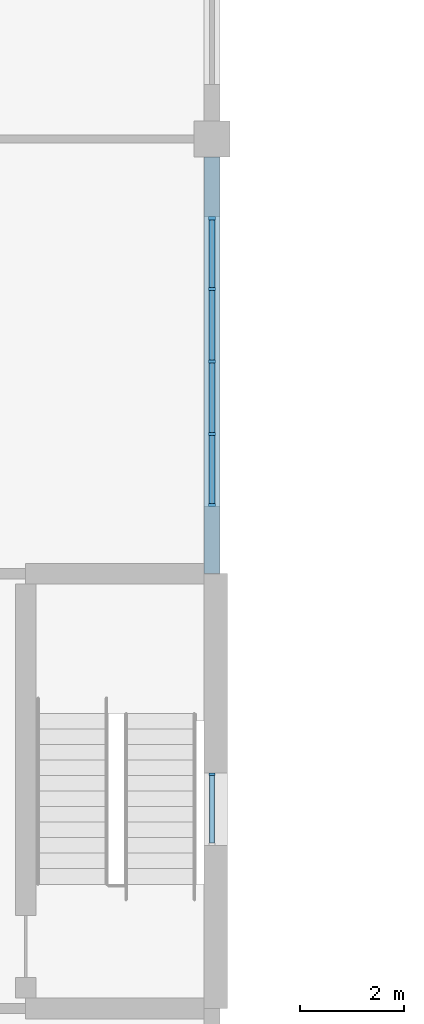
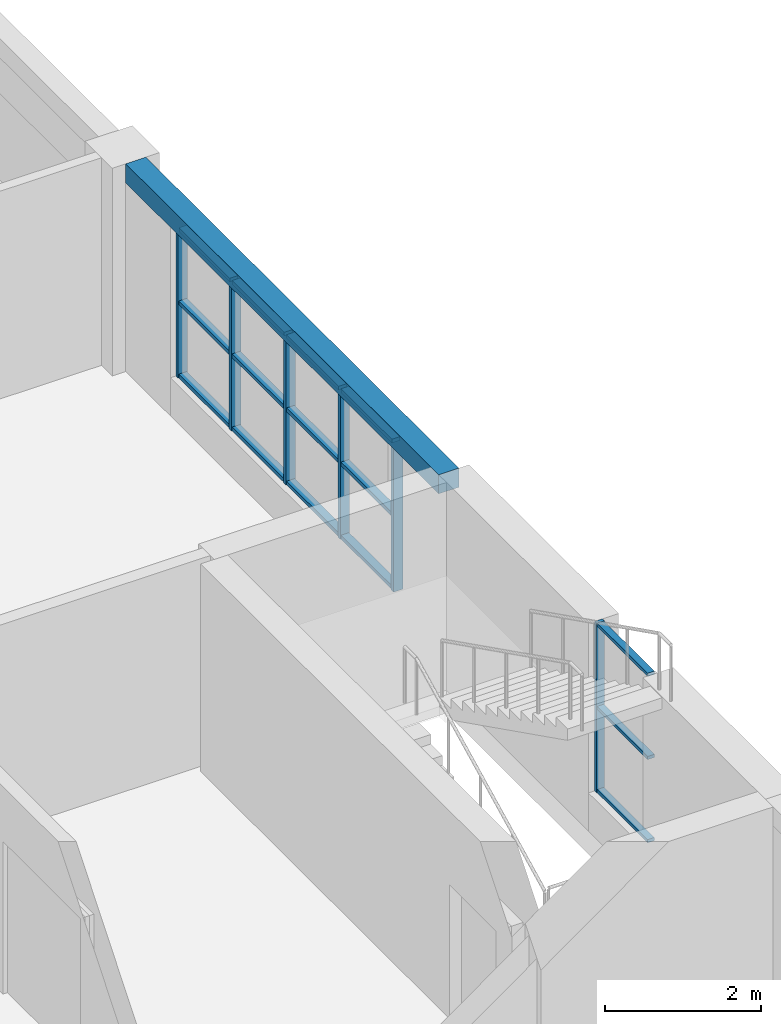
# One storey, part 16 of 61: 21 members, 1 beam, 2 elements without a shape of their own.
"""IFC4 building model written with IfcOpenShell, lengths in metres."""

from ifc_helpers import new_model, si_unit, direction, frame, origin, origin_2d, place, context, subcontext, project, spatial, rectangle, extrude, material, material_profile, profile_set, type_object, element, aggregate, save


model = new_model("IFC4")

# Units and contexts
model_context = context("Model", 3, precision=1e-05, world=origin(), true_north=direction((0.0, 1.0)))
body_context = subcontext(model_context, "Body", "Model", "MODEL_VIEW")
ifc_project = project(units=[si_unit("LENGTHUNIT", "METRE"), si_unit("AREAUNIT", "SQUARE_METRE"), si_unit("VOLUMEUNIT", "CUBIC_METRE"), si_unit("PLANEANGLEUNIT", "RADIAN"), si_unit("MASSUNIT", "GRAM", prefix="KILO")], contexts=[model_context])

# Site, building, storey
site_placement = place(None, origin())
site = spatial("IfcSite", under=ifc_project, at=site_placement, CompositionType="ELEMENT")
building_placement = place(site_placement, origin())
building = spatial("IfcBuilding", under=site, at=building_placement, Name="Yavir Park General Hospital", CompositionType="ELEMENT")
storey_placement = place(building_placement, frame((0.0, 0.0, 15.300048828125)))
storey = spatial("IfcBuildingStorey", under=building, at=storey_placement, Name="L03", CompositionType="ELEMENT", Elevation=15.300048828125)

# Curtain wall, members
ifc_material_1 = material(Name="Aluminium curtain wall frame with insulated glazing", Category="aluminium")
curtain_wall_type_1 = type_object("IfcCurtainWallType", Name="Day room pocket glazing, ward floors, 2360 high, 1400 module", PredefinedType="NOTDEFINED", material=ifc_material_1)
curtain_wall_1_placement = place(storey_placement, origin())
curtain_wall_1 = element("IfcCurtainWall", 1, at=curtain_wall_1_placement, inside=storey, type_object=curtain_wall_type_1, Name="CW6 L03-026", PredefinedType="NOTDEFINED")
ifc_material_2 = material(Name="Aluminium", Category="aluminium")
ifc_material_profile_1 = material_profile(ifc_material_2, rectangle(XDim=0.139892578125, YDim=0.06005859375, at=origin_2d()), Name="AL 60x140")
ifc_profile_set_1 = profile_set([ifc_material_profile_1], Name="Aluminium")
member_type_1 = type_object("IfcMemberType", Name="Day room pocket glazing, ward floors, 2360 high mullion 60 x 140", PredefinedType="MULLION", material=ifc_profile_set_1)
member_1_placement = place(storey_placement, frame((25.199951171875, 85.330078125, 0.599853515625), z_axis=(0.0, 0.0, 1.0), x_axis=(-1.0, 0.0, 0.0)))
member_1 = element("IfcMember", 2, at=member_1_placement, type_object=member_type_1, Name="CW6 mullion 1", PredefinedType="MULLION", context=body_context, shape_type="SweptSolid", body=[
    extrude(rectangle(XDim=0.139892578125, YDim=0.06005859375, at=origin_2d()), origin(), (0.0, 0.0, 1.0), 2.360107421875),
])
member_2_placement = place(storey_placement, frame((25.199951171875, 86.699951171875, 0.599853515625), z_axis=(0.0, 0.0, 1.0), x_axis=(-1.0, 0.0, 0.0)))
member_2 = element("IfcMember", 3, at=member_2_placement, type_object=member_type_1, Name="CW6 mullion 2", PredefinedType="MULLION", context=body_context, shape_type="SweptSolid", body=[
    extrude(rectangle(XDim=0.139892578125, YDim=0.06005859375, at=origin_2d()), origin(), (0.0, 0.0, 1.0), 2.360107421875),
])
member_3_placement = place(storey_placement, frame((25.199951171875, 88.10009765625, 0.599853515625), z_axis=(0.0, 0.0, 1.0), x_axis=(-1.0, 0.0, 0.0)))
member_3 = element("IfcMember", 4, at=member_3_placement, type_object=member_type_1, Name="CW6 mullion 3", PredefinedType="MULLION", context=body_context, shape_type="SweptSolid", body=[
    extrude(rectangle(XDim=0.139892578125, YDim=0.06005859375, at=origin_2d()), origin(), (0.0, 0.0, 1.0), 2.360107421875),
])
member_4_placement = place(storey_placement, frame((25.199951171875, 89.5, 0.599853515625), z_axis=(0.0, 0.0, 1.0), x_axis=(-1.0, 0.0, 0.0)))
member_4 = element("IfcMember", 5, at=member_4_placement, type_object=member_type_1, Name="CW6 mullion 4", PredefinedType="MULLION", context=body_context, shape_type="SweptSolid", body=[
    extrude(rectangle(XDim=0.139892578125, YDim=0.06005859375, at=origin_2d()), origin(), (0.0, 0.0, 1.0), 2.360107421875),
])
member_5_placement = place(storey_placement, frame((25.199951171875, 90.8701171875, 0.599853515625), z_axis=(0.0, 0.0, 1.0), x_axis=(-1.0, 0.0, 0.0)))
member_5 = element("IfcMember", 6, at=member_5_placement, type_object=member_type_1, Name="CW6 mullion 5", PredefinedType="MULLION", context=body_context, shape_type="SweptSolid", body=[
    extrude(rectangle(XDim=0.139892578125, YDim=0.06005859375, at=origin_2d()), origin(), (0.0, 0.0, 1.0), 2.360107421875),
])
ifc_material_3 = material(Name="Aluminium", Category="aluminium")
ifc_material_profile_2 = material_profile(ifc_material_3, rectangle(XDim=0.1201171875, YDim=0.06005859375, at=origin_2d()), Name="AL 120x60")
ifc_profile_set_2 = profile_set([ifc_material_profile_2], Name="Aluminium")
member_type_2 = type_object("IfcMemberType", Name="Day room pocket glazing, ward floors, 2360 high transom 60 x 120", PredefinedType="MULLION", material=ifc_profile_set_2)
member_6_placement = place(storey_placement, frame((25.199951171875, 85.360107421875, 0.6298828125), z_axis=(0.0, 1.0, 0.0), x_axis=(-1.0, 0.0, 0.0)))
member_6 = element("IfcMember", 7, at=member_6_placement, type_object=member_type_2, Name="CW6 transom 1.1", PredefinedType="MULLION", context=body_context, shape_type="SweptSolid", body=[
    extrude(rectangle(XDim=0.1201171875, YDim=0.06005859375, at=origin_2d()), origin(), (0.0, 0.0, 1.0), 1.309814453125),
])
member_7_placement = place(storey_placement, frame((25.199951171875, 85.360107421875, 1.780029296875), z_axis=(0.0, 1.0, 0.0), x_axis=(-1.0, 0.0, 0.0)))
member_7 = element("IfcMember", 8, at=member_7_placement, type_object=member_type_2, Name="CW6 transom 1.2", PredefinedType="MULLION", context=body_context, shape_type="SweptSolid", body=[
    extrude(rectangle(XDim=0.1201171875, YDim=0.06005859375, at=origin_2d()), origin(), (0.0, 0.0, 1.0), 1.309814453125),
])
member_8_placement = place(storey_placement, frame((25.199951171875, 85.360107421875, 2.929931640625), z_axis=(0.0, 1.0, 0.0), x_axis=(-1.0, 0.0, 0.0)))
member_8 = element("IfcMember", 9, at=member_8_placement, type_object=member_type_2, Name="CW6 transom 1.3", PredefinedType="MULLION", context=body_context, shape_type="SweptSolid", body=[
    extrude(rectangle(XDim=0.1201171875, YDim=0.06005859375, at=origin_2d()), origin(), (0.0, 0.0, 1.0), 1.309814453125),
])
member_9_placement = place(storey_placement, frame((25.199951171875, 86.72998046875, 0.6298828125), z_axis=(0.0, 1.0, 0.0), x_axis=(-1.0, 0.0, 0.0)))
member_9 = element("IfcMember", 10, at=member_9_placement, type_object=member_type_2, Name="CW6 transom 2.1", PredefinedType="MULLION", context=body_context, shape_type="SweptSolid", body=[
    extrude(rectangle(XDim=0.1201171875, YDim=0.06005859375, at=origin_2d()), origin(), (0.0, 0.0, 1.0), 1.340087890625),
])
member_10_placement = place(storey_placement, frame((25.199951171875, 86.72998046875, 1.780029296875), z_axis=(0.0, 1.0, 0.0), x_axis=(-1.0, 0.0, 0.0)))
member_10 = element("IfcMember", 11, at=member_10_placement, type_object=member_type_2, Name="CW6 transom 2.2", PredefinedType="MULLION", context=body_context, shape_type="SweptSolid", body=[
    extrude(rectangle(XDim=0.1201171875, YDim=0.06005859375, at=origin_2d()), origin(), (0.0, 0.0, 1.0), 1.340087890625),
])
member_11_placement = place(storey_placement, frame((25.199951171875, 86.72998046875, 2.929931640625), z_axis=(0.0, 1.0, 0.0), x_axis=(-1.0, 0.0, 0.0)))
member_11 = element("IfcMember", 12, at=member_11_placement, type_object=member_type_2, Name="CW6 transom 2.3", PredefinedType="MULLION", context=body_context, shape_type="SweptSolid", body=[
    extrude(rectangle(XDim=0.1201171875, YDim=0.06005859375, at=origin_2d()), origin(), (0.0, 0.0, 1.0), 1.340087890625),
])
member_12_placement = place(storey_placement, frame((25.199951171875, 88.1298828125, 0.6298828125), z_axis=(0.0, 1.0, 0.0), x_axis=(-1.0, 0.0, 0.0)))
member_12 = element("IfcMember", 13, at=member_12_placement, type_object=member_type_2, Name="CW6 transom 3.1", PredefinedType="MULLION", context=body_context, shape_type="SweptSolid", body=[
    extrude(rectangle(XDim=0.1201171875, YDim=0.06005859375, at=origin_2d()), origin(), (0.0, 0.0, 1.0), 1.340087890625),
])
member_13_placement = place(storey_placement, frame((25.199951171875, 88.1298828125, 1.780029296875), z_axis=(0.0, 1.0, 0.0), x_axis=(-1.0, 0.0, 0.0)))
member_13 = element("IfcMember", 14, at=member_13_placement, type_object=member_type_2, Name="CW6 transom 3.2", PredefinedType="MULLION", context=body_context, shape_type="SweptSolid", body=[
    extrude(rectangle(XDim=0.1201171875, YDim=0.06005859375, at=origin_2d()), origin(), (0.0, 0.0, 1.0), 1.340087890625),
])
member_14_placement = place(storey_placement, frame((25.199951171875, 88.1298828125, 2.929931640625), z_axis=(0.0, 1.0, 0.0), x_axis=(-1.0, 0.0, 0.0)))
member_14 = element("IfcMember", 15, at=member_14_placement, type_object=member_type_2, Name="CW6 transom 3.3", PredefinedType="MULLION", context=body_context, shape_type="SweptSolid", body=[
    extrude(rectangle(XDim=0.1201171875, YDim=0.06005859375, at=origin_2d()), origin(), (0.0, 0.0, 1.0), 1.340087890625),
])
member_15_placement = place(storey_placement, frame((25.199951171875, 89.530029296875, 0.6298828125), z_axis=(0.0, 1.0, 0.0), x_axis=(-1.0, 0.0, 0.0)))
member_15 = element("IfcMember", 16, at=member_15_placement, type_object=member_type_2, Name="CW6 transom 4.1", PredefinedType="MULLION", context=body_context, shape_type="SweptSolid", body=[
    extrude(rectangle(XDim=0.1201171875, YDim=0.06005859375, at=origin_2d()), origin(), (0.0, 0.0, 1.0), 1.31005859375),
])
member_16_placement = place(storey_placement, frame((25.199951171875, 89.530029296875, 1.780029296875), z_axis=(0.0, 1.0, 0.0), x_axis=(-1.0, 0.0, 0.0)))
member_16 = element("IfcMember", 17, at=member_16_placement, type_object=member_type_2, Name="CW6 transom 4.2", PredefinedType="MULLION", context=body_context, shape_type="SweptSolid", body=[
    extrude(rectangle(XDim=0.1201171875, YDim=0.06005859375, at=origin_2d()), origin(), (0.0, 0.0, 1.0), 1.31005859375),
])
member_17_placement = place(storey_placement, frame((25.199951171875, 89.530029296875, 2.929931640625), z_axis=(0.0, 1.0, 0.0), x_axis=(-1.0, 0.0, 0.0)))
member_17 = element("IfcMember", 18, at=member_17_placement, type_object=member_type_2, Name="CW6 transom 4.3", PredefinedType="MULLION", context=body_context, shape_type="SweptSolid", body=[
    extrude(rectangle(XDim=0.1201171875, YDim=0.06005859375, at=origin_2d()), origin(), (0.0, 0.0, 1.0), 1.31005859375),
])
aggregate(curtain_wall_1, [member_1, member_2, member_3, member_4, member_5, member_6, member_7, member_8, member_9, member_10, member_11, member_12, member_13, member_14, member_15, member_16, member_17])

# Beam
ifc_material_4 = material(Name="Concrete C35/45", Category="concrete")
ifc_material_profile_3 = material_profile(ifc_material_4, rectangle(XDim=0.300048828125, YDim=0.300048828125, at=origin_2d()), Name="RC300x300")
ifc_profile_set_3 = profile_set([ifc_material_profile_3], Name="Concrete C35/45")
beam_type = type_object("IfcBeamType", Name="RC BEAM 300x300 edge beam", PredefinedType="BEAM", material=ifc_profile_set_3)
beam_placement = place(storey_placement, frame((25.199951171875, 84.0, 3.10986328125), z_axis=(0.0, 1.0, 0.0), x_axis=(-1.0, 0.0, 0.0)))
element("IfcBeam", 19, at=beam_placement, inside=storey, type_object=beam_type, Name="B:EDGE:L03:032", PredefinedType="BEAM", context=body_context, shape_type="SweptSolid", body=[
    extrude(rectangle(XDim=0.300048828125, YDim=0.300048828125, at=origin_2d()), origin(), (0.0, 0.0, 1.0), 8.050048828125),
])

# Curtain wall, members
ifc_material_5 = material(Name="Aluminium curtain wall frame with insulated glazing", Category="aluminium")
curtain_wall_type_2 = type_object("IfcCurtainWallType", Name="Stair light slot, ward floors, 2660 high, 1400 module", PredefinedType="NOTDEFINED", material=ifc_material_5)
curtain_wall_2_placement = place(storey_placement, origin())
curtain_wall_2 = element("IfcCurtainWall", 20, at=curtain_wall_2_placement, inside=storey, type_object=curtain_wall_type_2, Name="CW10 L03-025", PredefinedType="NOTDEFINED")
ifc_material_6 = material(Name="Aluminium", Category="aluminium")
ifc_material_profile_4 = material_profile(ifc_material_6, rectangle(XDim=0.1201171875, YDim=0.050048828125, at=origin_2d()), Name="AL 50x120")
ifc_profile_set_4 = profile_set([ifc_material_profile_4], Name="Aluminium")
member_type_3 = type_object("IfcMemberType", Name="Stair light slot, ward floors, 2660 high mullion 50 x 120", PredefinedType="MULLION", material=ifc_profile_set_4)
member_18_placement = place(storey_placement, frame((25.199951171875, 80.125, 0.599853515625), z_axis=(0.0, 0.0, 1.0), x_axis=(-1.0, 0.0, 0.0)))
member_18 = element("IfcMember", 21, at=member_18_placement, type_object=member_type_3, Name="CW10 mullion 2", PredefinedType="MULLION", context=body_context, shape_type="SweptSolid", body=[
    extrude(rectangle(XDim=0.1201171875, YDim=0.050048828125, at=origin_2d()), origin(), (0.0, 0.0, 1.0), 2.66015625),
])
ifc_material_7 = material(Name="Aluminium", Category="aluminium")
ifc_material_profile_5 = material_profile(ifc_material_7, rectangle(XDim=0.10009765625, YDim=0.050048828125, at=origin_2d()), Name="AL 100x50")
ifc_profile_set_5 = profile_set([ifc_material_profile_5], Name="Aluminium")
member_type_4 = type_object("IfcMemberType", Name="Stair light slot, ward floors, 2660 high transom 50 x 100", PredefinedType="MULLION", material=ifc_profile_set_5)
member_19_placement = place(storey_placement, frame((25.199951171875, 78.800048828125, 0.625), z_axis=(0.0, 1.0, 0.0), x_axis=(-1.0, 0.0, 0.0)))
member_19 = element("IfcMember", 22, at=member_19_placement, type_object=member_type_4, Name="CW10 transom 1.1", PredefinedType="MULLION", context=body_context, shape_type="SweptSolid", body=[
    extrude(rectangle(XDim=0.10009765625, YDim=0.050048828125, at=origin_2d()), origin(), (0.0, 0.0, 1.0), 1.300048828125),
])
member_20_placement = place(storey_placement, frame((25.199951171875, 78.800048828125, 1.929931640625), z_axis=(0.0, 1.0, 0.0), x_axis=(-1.0, 0.0, 0.0)))
member_20 = element("IfcMember", 23, at=member_20_placement, type_object=member_type_4, Name="CW10 transom 1.2", PredefinedType="MULLION", context=body_context, shape_type="SweptSolid", body=[
    extrude(rectangle(XDim=0.10009765625, YDim=0.050048828125, at=origin_2d()), origin(), (0.0, 0.0, 1.0), 1.300048828125),
])
member_21_placement = place(storey_placement, frame((25.199951171875, 78.800048828125, 3.23486328125), z_axis=(0.0, 1.0, 0.0), x_axis=(-1.0, 0.0, 0.0)))
member_21 = element("IfcMember", 24, at=member_21_placement, type_object=member_type_4, Name="CW10 transom 1.3", PredefinedType="MULLION", context=body_context, shape_type="SweptSolid", body=[
    extrude(rectangle(XDim=0.10009765625, YDim=0.050048828125, at=origin_2d()), origin(), (0.0, 0.0, 1.0), 1.300048828125),
])
aggregate(curtain_wall_2, [member_18, member_19, member_20, member_21])

save(model, "model.ifc")
